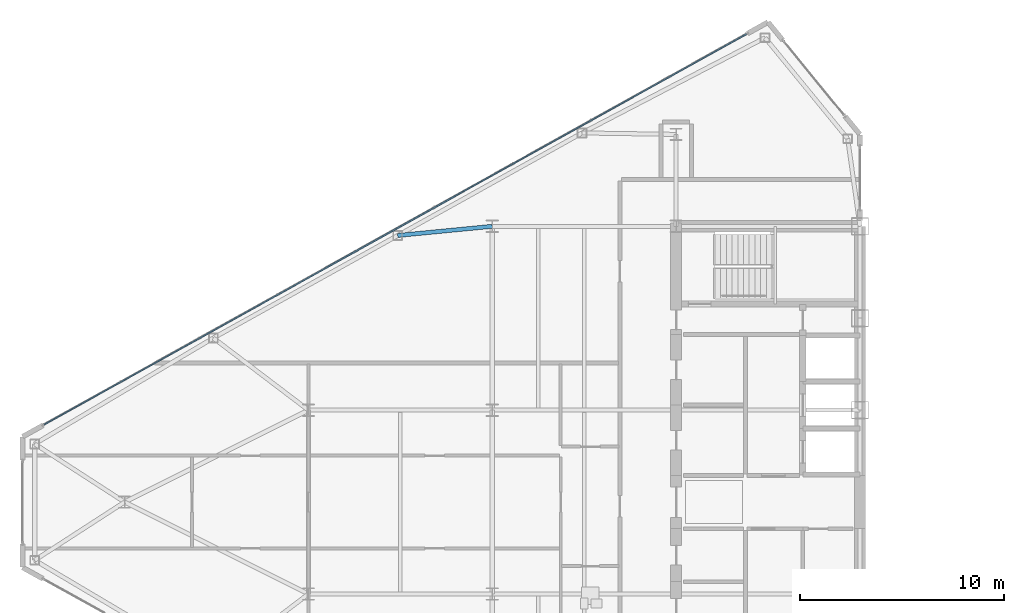
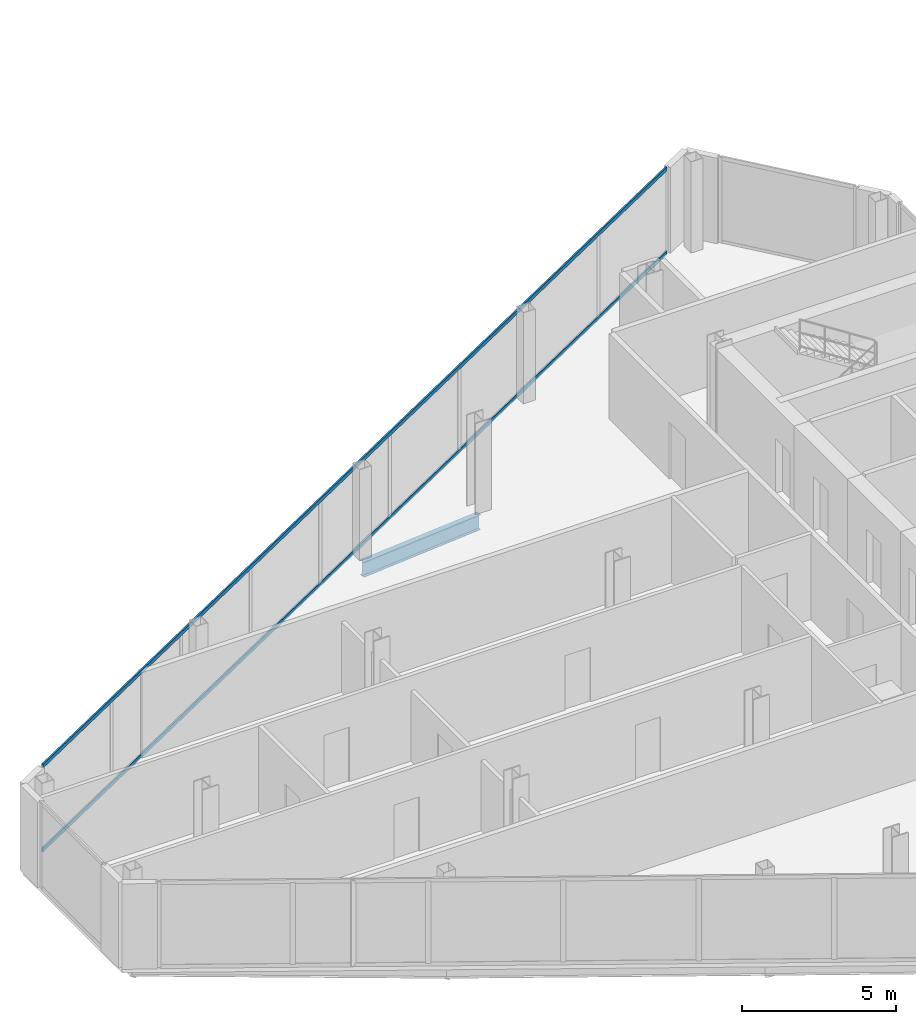
# One storey, part 9 of 26: 2 members, 1 beam, 1 element without a shape of its own.
"""IFC4 building model written with IfcOpenShell, lengths in metres."""

from ifc_helpers import new_model, si_unit, direction, frame, origin, origin_2d, place, context, subcontext, project, spatial, rectangle, i_section, extrude, source, transform, mapped, material, layer, layer_set, material_profile, profile_set, type_object, type_shapes, element, aggregate, save


model = new_model("IFC4")

# Units and contexts
model_context = context("Model", 3, precision=1e-05, world=origin(), true_north=direction((0.0, 1.0)))
body_context = subcontext(model_context, "Body", "Model", "MODEL_VIEW")
ifc_project = project(units=[si_unit("LENGTHUNIT", "METRE"), si_unit("AREAUNIT", "SQUARE_METRE"), si_unit("VOLUMEUNIT", "CUBIC_METRE"), si_unit("PLANEANGLEUNIT", "RADIAN"), si_unit("MASSUNIT", "GRAM", prefix="KILO")], contexts=[model_context])

# Site, building, storey
site_placement = place(None, origin())
site = spatial("IfcSite", under=ifc_project, at=site_placement, CompositionType="ELEMENT")
building_placement = place(site_placement, origin())
building = spatial("IfcBuilding", under=site, at=building_placement, Name="Seokmaru Belvedere", CompositionType="ELEMENT")
storey_placement = place(building_placement, frame((0.0, 0.0, 192.300048828125)))
storey = spatial("IfcBuildingStorey", under=building, at=storey_placement, Name="L51", CompositionType="ELEMENT", Elevation=192.300048828125)

# Beam
ifc_material_1 = material(Name="Steel SM355 (355 MPa)", Category="steel")
ifc_material_profile_1 = material_profile(ifc_material_1, i_section(OverallWidth=0.199951171875, OverallDepth=0.60009765625, WebThickness=0.010986328125, FlangeThickness=0.01708984375, at=origin_2d()), Name="H-600x200x11x17")
ifc_profile_set_1 = profile_set([ifc_material_profile_1], Name="Steel SM355 (355 MPa)")
beam_type = type_object("IfcBeamType", Name="Primary Floor Girder H-600", PredefinedType="BEAM", material=ifc_profile_set_1)
shared_shape_1 = source(origin(), body_context, "Body", "SweptSolid", [
    extrude(i_section(OverallWidth=0.199951171875, OverallDepth=0.60009765625, WebThickness=0.010986328125, FlangeThickness=0.01708984375, at=origin_2d()), origin(), (0.0, 0.0, 1.0), 4.65087890625),
])
type_shapes(beam_type, [shared_shape_1])
beam_placement = place(storey_placement, frame((-50.129150390625, 13.051025390625, -0.52001953125), z_axis=(0.995329534874, 0.09653557379, 0.0), x_axis=(-0.09653557379, 0.995329534874, 0.0)))
element("IfcBeam", 1, at=beam_placement, inside=storey, type_object=beam_type, Name="L51 W Flank Radial Floor Girder N-2", PredefinedType="BEAM", context=body_context, shape_type="MappedRepresentation", body=[
    mapped(shared_shape_1, transform((0.0, 0.0, 0.0), scale=1.0)),
])

# Curtain wall, members
ifc_material_2 = material(Name="Bronze Triple Insulating Glass", Category="glass")
ifc_layer = layer(ifc_material_2, 0.179931640625)
ifc_layer_set = layer_set([ifc_layer], Name="Bronze Triple Insulating Glass")
curtain_wall_type = type_object("IfcCurtainWallType", Name="High-Rise Wind-Corner Curtain Wall System CW-5", PredefinedType="NOTDEFINED", material=ifc_layer_set)
curtain_wall_placement = place(storey_placement, origin())
curtain_wall = element("IfcCurtainWall", 2, at=curtain_wall_placement, inside=storey, type_object=curtain_wall_type, Name="L51 Curtain Wall WF3", PredefinedType="NOTDEFINED")
ifc_material_3 = material(Name="Anodised Bronze Aluminium", Category="aluminium")
ifc_material_profile_2 = material_profile(ifc_material_3, rectangle(XDim=0.06494140625, YDim=0.14990234375, at=origin_2d()), Name="CW-T-65x150")
ifc_profile_set_2 = profile_set([ifc_material_profile_2], Name="Anodised Bronze Aluminium")
member_type = type_object("IfcMemberType", Name="Bronze Unitised Transom 65x150", PredefinedType="USERDEFINED", material=ifc_profile_set_2)
shared_shape_2 = source(origin(), body_context, "Body", "SweptSolid", [
    extrude(rectangle(XDim=0.06494140625, YDim=0.14990234375, at=origin_2d()), origin(), (0.0, 0.0, 1.0), 39.33544921875),
])
type_shapes(member_type, [shared_shape_2])
member_1_placement = place(storey_placement, frame((-33.061767578125, 22.909423828125, 0.032470703125), z_axis=(-0.873932045133, -0.486048125693, 0.0), x_axis=(0.486048125693, -0.873932045133, 0.0)))
member_1 = element("IfcMember", 3, at=member_1_placement, type_object=member_type, Name="CW:L51:WF3 Continuous Transom 1", ObjectType="TRANSOM", PredefinedType="USERDEFINED", context=body_context, shape_type="MappedRepresentation", body=[
    mapped(shared_shape_2, transform((0.0, 0.0, 0.0), scale=1.0)),
])
member_2_placement = place(storey_placement, frame((-33.061767578125, 22.909423828125, 3.347412109375), z_axis=(-0.873932045133, -0.486048125693, 0.0), x_axis=(0.486048125693, -0.873932045133, 0.0)))
member_2 = element("IfcMember", 4, at=member_2_placement, type_object=member_type, Name="CW:L51:WF3 Continuous Transom 2", ObjectType="TRANSOM", PredefinedType="USERDEFINED", context=body_context, shape_type="MappedRepresentation", body=[
    mapped(shared_shape_2, transform((0.0, 0.0, 0.0), scale=1.0)),
])
aggregate(curtain_wall, [member_1, member_2])

save(model, "model.ifc")
